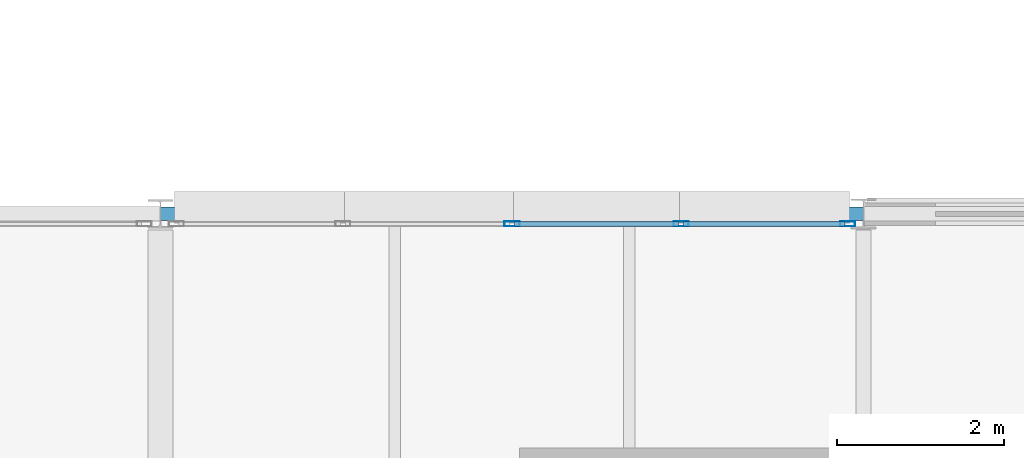
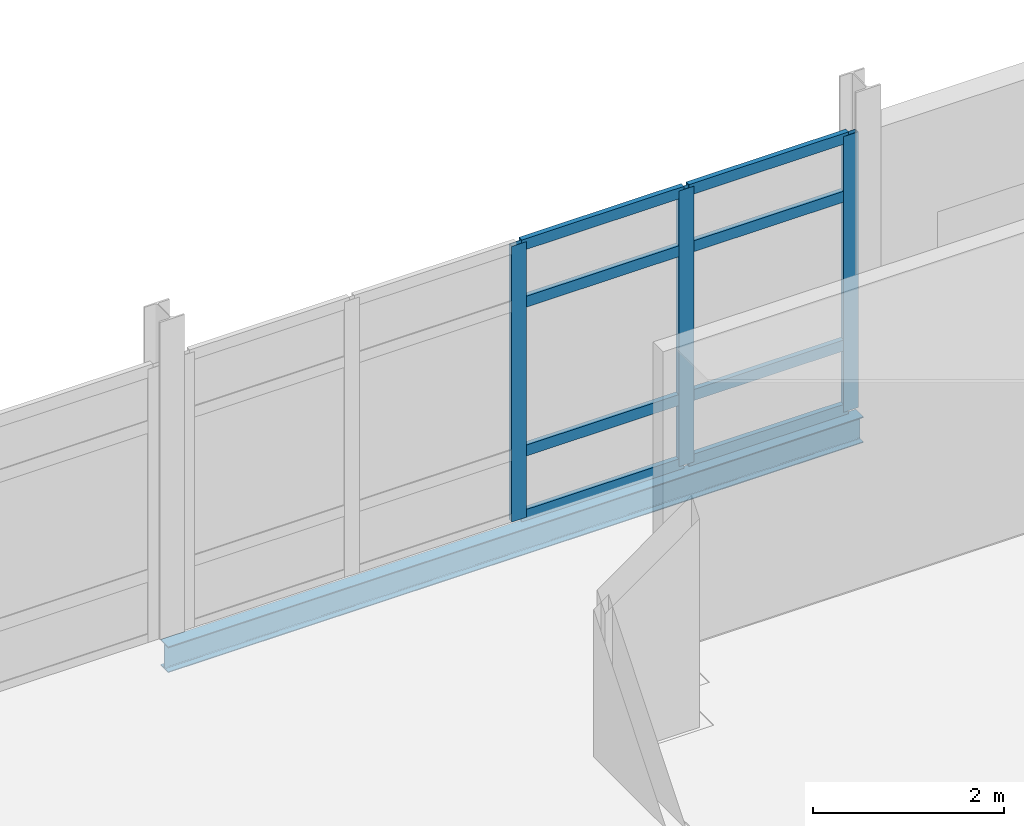
# One storey, part 32 of 151: 11 members, 1 beam, 1 element without a shape of its own.
"""IFC4 building model written with IfcOpenShell, lengths in metres."""

from ifc_helpers import new_model, si_unit, direction, frame, origin, origin_2d, place, context, subcontext, project, spatial, hollow_rectangle, i_section, extrude, material, material_profile, profile_set, type_object, element, aggregate, save


model = new_model("IFC4")

# Units and contexts
model_context = context("Model", 3, precision=1e-05, world=origin(), true_north=direction((0.0, 1.0)))
body_context = subcontext(model_context, "Body", "Model", "MODEL_VIEW")
ifc_project = project(units=[si_unit("LENGTHUNIT", "METRE"), si_unit("AREAUNIT", "SQUARE_METRE"), si_unit("VOLUMEUNIT", "CUBIC_METRE"), si_unit("PLANEANGLEUNIT", "RADIAN"), si_unit("MASSUNIT", "GRAM", prefix="KILO")], contexts=[model_context])

# Site, building, storey
site_placement = place(None, origin())
site = spatial("IfcSite", under=ifc_project, at=site_placement, CompositionType="ELEMENT")
building_placement = place(site_placement, origin())
building = spatial("IfcBuilding", under=site, at=building_placement, Name="Mersafa Astral City Hall", CompositionType="ELEMENT")
storey_placement = place(building_placement, frame((0.0, 0.0, 9.89990234375)))
storey = spatial("IfcBuildingStorey", under=building, at=storey_placement, Name="L02", CompositionType="ELEMENT", Elevation=9.89990234375)

# Curtain wall, members
ifc_material_1 = material(Name="Anodised bronze aluminium framing", Category="aluminium")
curtain_wall_type = type_object("IfcCurtainWallType", Name="ENV-CW-2", PredefinedType="USERDEFINED", material=ifc_material_1)
curtain_wall_placement = place(storey_placement, origin())
curtain_wall = element("IfcCurtainWall", 1, at=curtain_wall_placement, inside=storey, type_object=curtain_wall_type, Name="L02 Unitised solar curtain wall 109", ObjectType="UNITISED CURTAIN WALL", PredefinedType="USERDEFINED")
ifc_material_profile_1 = material_profile(ifc_material_1, hollow_rectangle(XDim=0.06005859375, YDim=0.179931640625, WallThickness=0.00390625, at=origin_2d()), Name="RHS 60x180x4")
ifc_profile_set_1 = profile_set([ifc_material_profile_1], Name="Anodised bronze aluminium framing")
member_type_1 = type_object("IfcMemberType", Name="ENV-CW-MUL-1", PredefinedType="MULLION", material=ifc_profile_set_1)
member_1_placement = place(storey_placement, frame((134.2080078125, 33.47998046875, -0.001953125), z_axis=(0.0, 0.0, 1.0), x_axis=(0.0, -1.0, 0.0)))
member_1 = element("IfcMember", 2, at=member_1_placement, type_object=member_type_1, Name="CW-2 mullion 1", PredefinedType="MULLION", context=body_context, shape_type="SweptSolid", body=[
    extrude(hollow_rectangle(XDim=0.06005859375, YDim=0.179931640625, WallThickness=0.00390625, at=origin_2d()), origin(), (0.0, 0.0, 1.0), 3.51904296875),
])
member_2_placement = place(storey_placement, frame((132.218994140625, 33.47998046875, -0.001953125), z_axis=(0.0, 0.0, 1.0), x_axis=(0.0, -1.0, 0.0)))
member_2 = element("IfcMember", 3, at=member_2_placement, type_object=member_type_1, Name="CW-2 mullion 2", PredefinedType="MULLION", context=body_context, shape_type="SweptSolid", body=[
    extrude(hollow_rectangle(XDim=0.06005859375, YDim=0.179931640625, WallThickness=0.00390625, at=origin_2d()), origin(), (0.0, 0.0, 1.0), 3.51904296875),
])
member_3_placement = place(storey_placement, frame((130.199951171875, 33.47998046875, -0.001953125), z_axis=(0.0, 0.0, 1.0), x_axis=(0.0, -1.0, 0.0)))
member_3 = element("IfcMember", 4, at=member_3_placement, type_object=member_type_1, Name="CW-2 mullion 3", PredefinedType="MULLION", context=body_context, shape_type="SweptSolid", body=[
    extrude(hollow_rectangle(XDim=0.06005859375, YDim=0.179931640625, WallThickness=0.00390625, at=origin_2d()), origin(), (0.0, 0.0, 1.0), 3.51904296875),
])
ifc_material_profile_2 = material_profile(ifc_material_1, hollow_rectangle(XDim=0.06005859375, YDim=0.139892578125, WallThickness=0.00390625, at=origin_2d()), Name="RHS 60x140x4")
ifc_profile_set_2 = profile_set([ifc_material_profile_2], Name="Anodised bronze aluminium framing")
member_type_2 = type_object("IfcMemberType", Name="ENV-CW-TRN-1", PredefinedType="USERDEFINED", material=ifc_profile_set_2)
member_4_placement = place(storey_placement, frame((134.177978515625, 33.47998046875, 0.028076171875), z_axis=(-1.0, 0.0, 0.0), x_axis=(0.0, -1.0, 0.0)))
member_4 = element("IfcMember", 5, at=member_4_placement, type_object=member_type_2, Name="CW-2 transom 1.1", ObjectType="TRANSOM", PredefinedType="USERDEFINED", context=body_context, shape_type="SweptSolid", body=[
    extrude(hollow_rectangle(XDim=0.06005859375, YDim=0.139892578125, WallThickness=0.00390625, at=origin_2d()), origin(), (0.0, 0.0, 1.0), 1.928955078125),
])
member_5_placement = place(storey_placement, frame((134.177978515625, 33.47998046875, 0.85009765625), z_axis=(-1.0, 0.0, 0.0), x_axis=(0.0, -1.0, 0.0)))
member_5 = element("IfcMember", 6, at=member_5_placement, type_object=member_type_2, Name="CW-2 transom 1.2", ObjectType="TRANSOM", PredefinedType="USERDEFINED", context=body_context, shape_type="SweptSolid", body=[
    extrude(hollow_rectangle(XDim=0.06005859375, YDim=0.139892578125, WallThickness=0.00390625, at=origin_2d()), origin(), (0.0, 0.0, 1.0), 1.928955078125),
])
member_6_placement = place(storey_placement, frame((134.177978515625, 33.47998046875, 2.75), z_axis=(-1.0, 0.0, 0.0), x_axis=(0.0, -1.0, 0.0)))
member_6 = element("IfcMember", 7, at=member_6_placement, type_object=member_type_2, Name="CW-2 transom 1.3", ObjectType="TRANSOM", PredefinedType="USERDEFINED", context=body_context, shape_type="SweptSolid", body=[
    extrude(hollow_rectangle(XDim=0.06005859375, YDim=0.139892578125, WallThickness=0.00390625, at=origin_2d()), origin(), (0.0, 0.0, 1.0), 1.928955078125),
])
member_7_placement = place(storey_placement, frame((134.177978515625, 33.47998046875, 3.487060546875), z_axis=(-1.0, 0.0, 0.0), x_axis=(0.0, -1.0, 0.0)))
member_7 = element("IfcMember", 8, at=member_7_placement, type_object=member_type_2, Name="CW-2 transom 1.4", ObjectType="TRANSOM", PredefinedType="USERDEFINED", context=body_context, shape_type="SweptSolid", body=[
    extrude(hollow_rectangle(XDim=0.06005859375, YDim=0.139892578125, WallThickness=0.00390625, at=origin_2d()), origin(), (0.0, 0.0, 1.0), 1.928955078125),
])
member_8_placement = place(storey_placement, frame((132.18896484375, 33.47998046875, 0.028076171875), z_axis=(-1.0, 0.0, 0.0), x_axis=(0.0, -1.0, 0.0)))
member_8 = element("IfcMember", 9, at=member_8_placement, type_object=member_type_2, Name="CW-2 transom 2.1", ObjectType="TRANSOM", PredefinedType="USERDEFINED", context=body_context, shape_type="SweptSolid", body=[
    extrude(hollow_rectangle(XDim=0.06005859375, YDim=0.139892578125, WallThickness=0.00390625, at=origin_2d()), origin(), (0.0, 0.0, 1.0), 1.958984375),
])
member_9_placement = place(storey_placement, frame((132.18896484375, 33.47998046875, 0.85009765625), z_axis=(-1.0, 0.0, 0.0), x_axis=(0.0, -1.0, 0.0)))
member_9 = element("IfcMember", 10, at=member_9_placement, type_object=member_type_2, Name="CW-2 transom 2.2", ObjectType="TRANSOM", PredefinedType="USERDEFINED", context=body_context, shape_type="SweptSolid", body=[
    extrude(hollow_rectangle(XDim=0.06005859375, YDim=0.139892578125, WallThickness=0.00390625, at=origin_2d()), origin(), (0.0, 0.0, 1.0), 1.958984375),
])
member_10_placement = place(storey_placement, frame((132.18896484375, 33.47998046875, 2.75), z_axis=(-1.0, 0.0, 0.0), x_axis=(0.0, -1.0, 0.0)))
member_10 = element("IfcMember", 11, at=member_10_placement, type_object=member_type_2, Name="CW-2 transom 2.3", ObjectType="TRANSOM", PredefinedType="USERDEFINED", context=body_context, shape_type="SweptSolid", body=[
    extrude(hollow_rectangle(XDim=0.06005859375, YDim=0.139892578125, WallThickness=0.00390625, at=origin_2d()), origin(), (0.0, 0.0, 1.0), 1.958984375),
])
member_11_placement = place(storey_placement, frame((132.18896484375, 33.47998046875, 3.487060546875), z_axis=(-1.0, 0.0, 0.0), x_axis=(0.0, -1.0, 0.0)))
member_11 = element("IfcMember", 12, at=member_11_placement, type_object=member_type_2, Name="CW-2 transom 2.4", ObjectType="TRANSOM", PredefinedType="USERDEFINED", context=body_context, shape_type="SweptSolid", body=[
    extrude(hollow_rectangle(XDim=0.06005859375, YDim=0.139892578125, WallThickness=0.00390625, at=origin_2d()), origin(), (0.0, 0.0, 1.0), 1.958984375),
])
aggregate(curtain_wall, [member_1, member_2, member_3, member_4, member_5, member_6, member_7, member_8, member_9, member_10, member_11])

# Beam
ifc_material_2 = material(Name="Steel S355", Category="steel")
ifc_material_profile_3 = material_profile(ifc_material_2, i_section(OverallWidth=0.159912109375, OverallDepth=0.330078125, WebThickness=0.007568359375, FlangeThickness=0.011474609375, FilletRadius=0.01806640625, at=origin_2d()), Name="IPE 330")
ifc_profile_set_3 = profile_set([ifc_material_profile_3], Name="Steel S355")
beam_type = type_object("IfcBeamType", Name="STR-BM-SPANDREL-IPE330", PredefinedType="SPANDREL", material=ifc_profile_set_3)
beam_placement = place(storey_placement, frame((126.0029296875, 33.60009765625, -0.364990234375), z_axis=(1.0, 0.0, 0.0), x_axis=(0.0, 1.0, 0.0)))
element("IfcBeam", 13, at=beam_placement, inside=storey, type_object=beam_type, Name="L02 Primary girder X 15-4", PredefinedType="SPANDREL", context=body_context, shape_type="SweptSolid", body=[
    extrude(i_section(OverallWidth=0.159912109375, OverallDepth=0.330078125, WebThickness=0.007568359375, FlangeThickness=0.011474609375, FilletRadius=0.01806640625, at=origin_2d()), origin(), (0.0, 0.0, 1.0), 8.39404296875),
])

save(model, "model.ifc")
